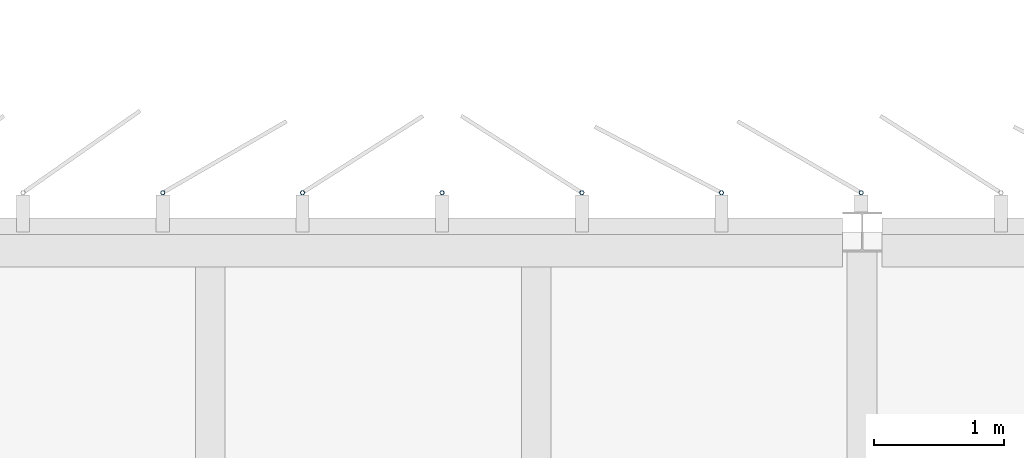
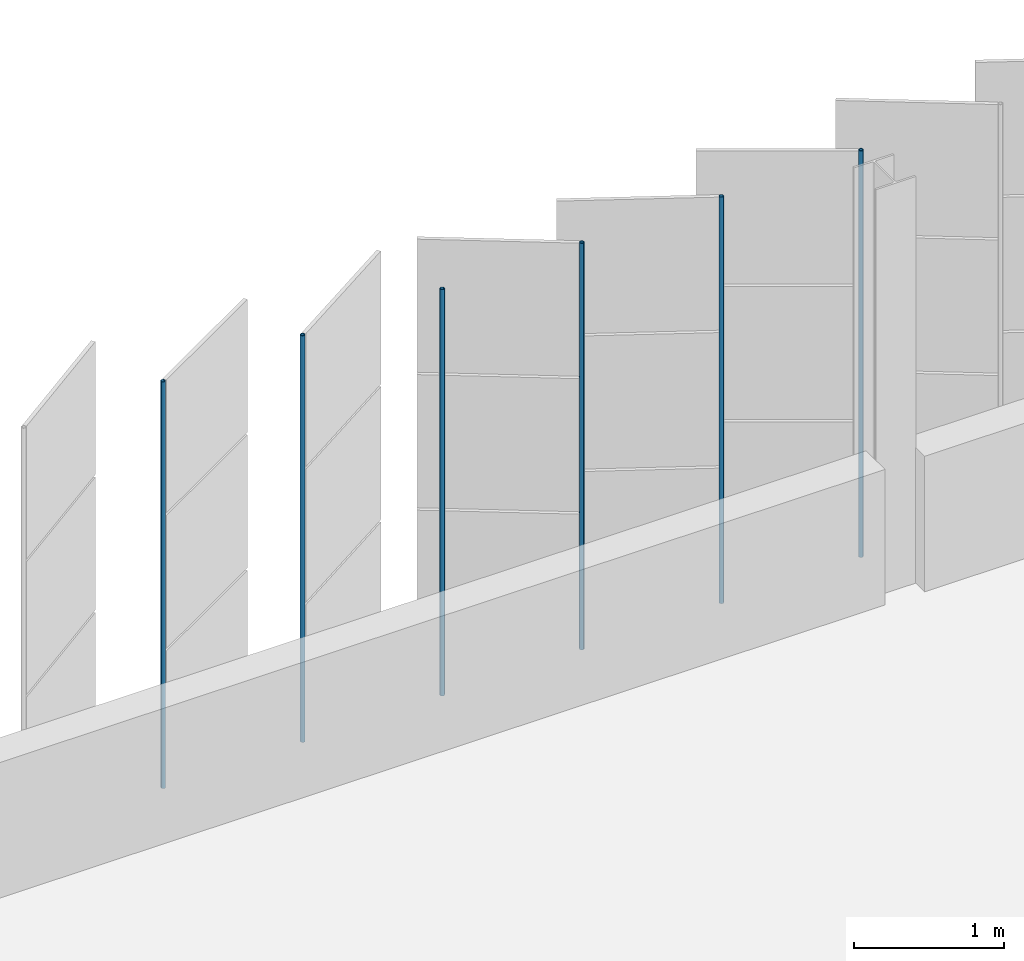
# One storey, part 144 of 199: 6 discrete accessories.
"""IFC4 building model written with IfcOpenShell, lengths in metres."""

from ifc_helpers import new_model, si_unit, direction, frame, origin, origin_2d, place, context, subcontext, project, spatial, hollow_circle, extrude, material, material_profile, profile_set, type_object, element, save


model = new_model("IFC4")

# Units and contexts
model_context = context("Model", 3, precision=1e-05, world=origin(), true_north=direction((0.0, 1.0)))
body_context = subcontext(model_context, "Body", "Model", "MODEL_VIEW")
ifc_project = project(units=[si_unit("LENGTHUNIT", "METRE"), si_unit("AREAUNIT", "SQUARE_METRE"), si_unit("VOLUMEUNIT", "CUBIC_METRE"), si_unit("PLANEANGLEUNIT", "RADIAN"), si_unit("MASSUNIT", "GRAM", prefix="KILO")], contexts=[model_context])

# Site, building, storey
site_placement = place(None, origin())
site = spatial("IfcSite", under=ifc_project, at=site_placement, CompositionType="ELEMENT")
building_placement = place(site_placement, origin())
building = spatial("IfcBuilding", under=site, at=building_placement, Name="Parallax Yard Mobility Hub", CompositionType="ELEMENT")
storey_placement = place(building_placement, frame((0.0, 0.0, 9.89990234375)))
storey = spatial("IfcBuildingStorey", under=building, at=storey_placement, Name="L03", CompositionType="ELEMENT", Elevation=9.89990234375)

# Discrete accessories
ifc_material = material(Name="Steel ASTM A500 Gr C, hot-dip galvanised", Category="steel")
ifc_material_profile = material_profile(ifc_material, hollow_circle(Radius=0.016845703125, WallThickness=0.003173828125, at=origin_2d()), Name="CHS 33.7x3.2")
ifc_profile_set = profile_set([ifc_material_profile], Name="Steel ASTM A500 Gr C, hot-dip galvanised")
discrete_accessory_type = type_object("IfcDiscreteAccessoryType", Name="Hinge post CHS 33.7x3.2", PredefinedType="BRACKET", material=ifc_profile_set)
for number, where, z_axis, x_axis, name in (
    (1, (97.492919921875, 142.800048828125, 0.0), (0.0, 0.0, 1.0), (1.0, 0.0, 0.0), "Hinge post bay 61.1 level L03"),
    (2, (96.42138671875, 142.800048828125, 0.0), (0.0, 0.0, 1.0), (1.0, 0.0, 0.0), "Hinge post bay 61.2 level L03"),
    (3, (95.349853515625, 142.800048828125, 0.0), (0.0, 0.0, 1.0), (1.0, 0.0, 0.0), "Hinge post bay 61.3 level L03"),
    (4, (94.2783203125, 142.800048828125, 0.0), (0.0, 0.0, 1.0), (1.0, 0.0, 0.0), "Hinge post bay 61.4 level L03"),
    (5, (93.206787109375, 142.800048828125, 0.0), (0.0, 0.0, 1.0), (1.0, 0.0, 0.0), "Hinge post bay 61.5 level L03"),
    (6, (92.13525390625, 142.800048828125, 0.0), (0.0, 0.0, 1.0), (1.0, 0.0, 0.0), "Hinge post bay 61.6 level L03"),
):
    element("IfcDiscreteAccessory", number, at=place(storey_placement, frame(where, z_axis=z_axis, x_axis=x_axis)), inside=storey, type_object=discrete_accessory_type, Name=name, PredefinedType="BRACKET", context=body_context, shape_type="SweptSolid", body=[
        extrude(hollow_circle(Radius=0.016845703125, WallThickness=0.003173828125, at=origin_2d()), origin(), (0.0, 0.0, 1.0), 3.300048828125),
    ])

save(model, "model.ifc")
